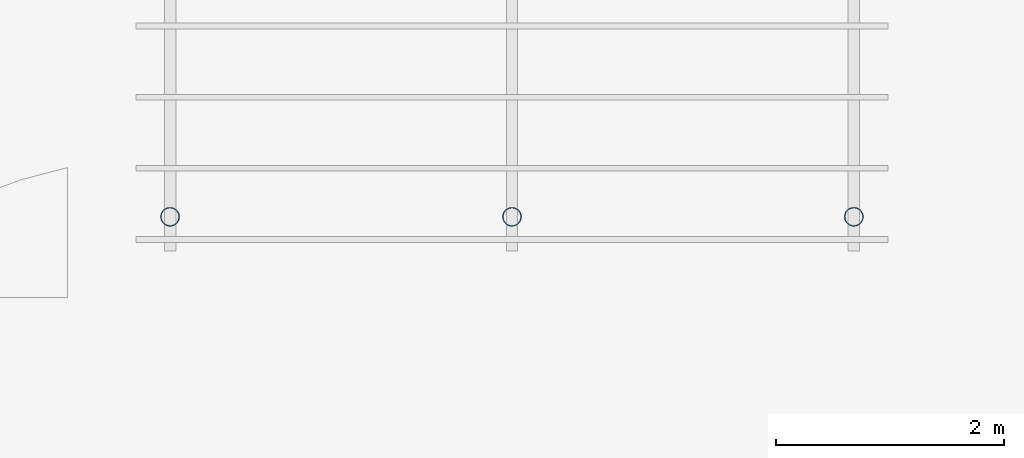
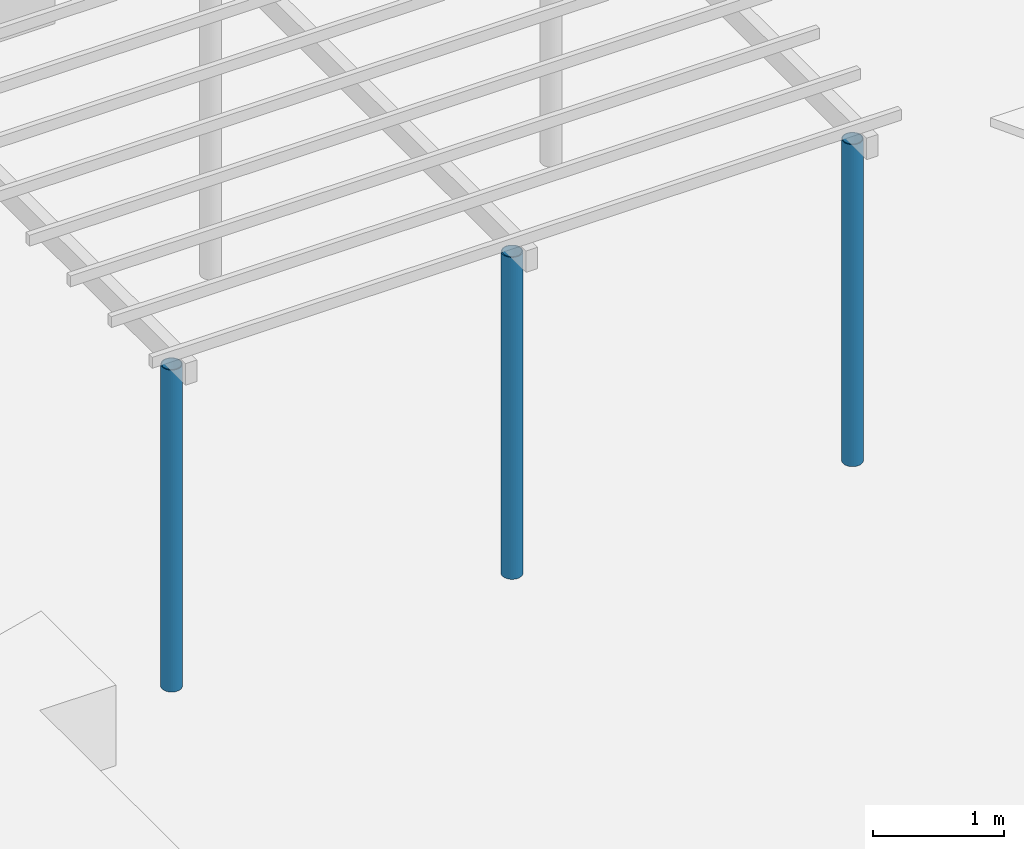
# One storey, part 6 of 40: 3 members.
"""IFC4 building model written with IfcOpenShell, lengths in metres."""

from ifc_helpers import new_model, si_unit, direction, frame, origin, origin_2d, place, context, subcontext, project, spatial, hollow_circle, extrude, material, material_profile, profile_set, type_object, element, save


model = new_model("IFC4")

# Units and contexts
model_context = context("Model", 3, precision=1e-05, world=origin(), true_north=direction((0.0, 1.0)))
body_context = subcontext(model_context, "Body", "Model", "MODEL_VIEW")
ifc_project = project(units=[si_unit("LENGTHUNIT", "METRE"), si_unit("AREAUNIT", "SQUARE_METRE"), si_unit("VOLUMEUNIT", "CUBIC_METRE"), si_unit("PLANEANGLEUNIT", "RADIAN"), si_unit("MASSUNIT", "GRAM", prefix="KILO")], contexts=[model_context])

# Site, building, storey
site_placement = place(None, origin())
site = spatial("IfcSite", under=ifc_project, at=site_placement, CompositionType="ELEMENT")
building_placement = place(site_placement, origin())
building = spatial("IfcBuilding", under=site, at=building_placement, Name="Ipe Terrace Towers", CompositionType="ELEMENT")
storey_placement = place(building_placement, frame((0.0, 0.0, 24.5)))
storey = spatial("IfcBuildingStorey", under=building, at=storey_placement, Name="L05", CompositionType="ELEMENT", Elevation=24.5)

# Members
ifc_material = material(Name="Steel S355", Category="steel")
ifc_material_profile = material_profile(ifc_material, hollow_circle(Radius=0.083984375, WallThickness=0.008056640625, at=origin_2d()), Name="PERGOLA POST CHS 168")
ifc_profile_set = profile_set([ifc_material_profile], Name="Steel S355")
member_type = type_object("IfcMemberType", Name="PERGOLA POST CHS 168", PredefinedType="POST", material=ifc_profile_set)
for number, where, z_axis, x_axis, name in (
    (1, (-12.0, -12.300048828125, -0.02001953125), (0.0, 0.0, 1.0), (1.0, 0.0, 0.0), "pergola post"),
    (2, (-9.0, -12.300048828125, -0.02001953125), (0.0, 0.0, 1.0), (1.0, 0.0, 0.0), "pergola post"),
    (3, (-6.0, -12.300048828125, -0.02001953125), (0.0, 0.0, 1.0), (1.0, 0.0, 0.0), "pergola post"),
):
    element("IfcMember", number, at=place(storey_placement, frame(where, z_axis=z_axis, x_axis=x_axis)), inside=storey, type_object=member_type, Name=name, PredefinedType="POST", context=body_context, shape_type="SweptSolid", body=[
        extrude(hollow_circle(Radius=0.083984375, WallThickness=0.008056640625, at=origin_2d()), origin(), (0.0, 0.0, 1.0), 3.0),
    ])

save(model, "model.ifc")
